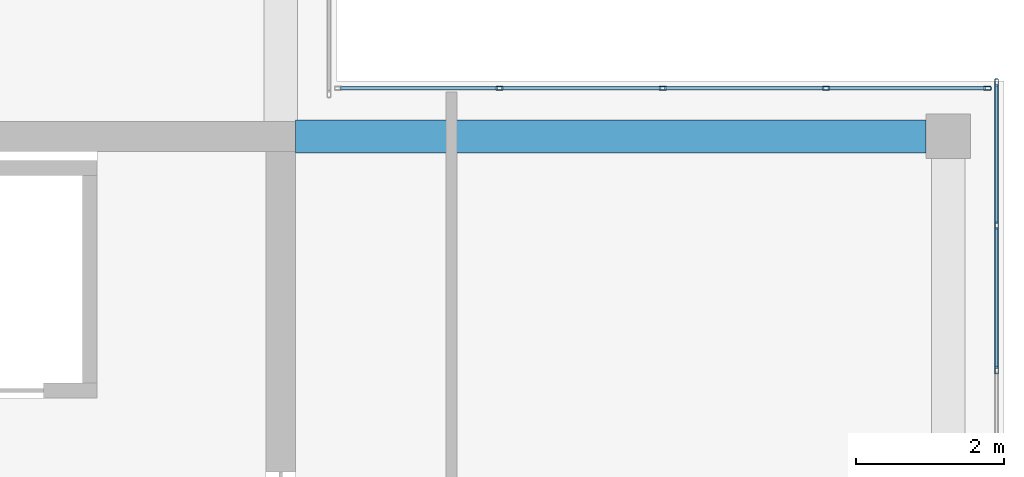
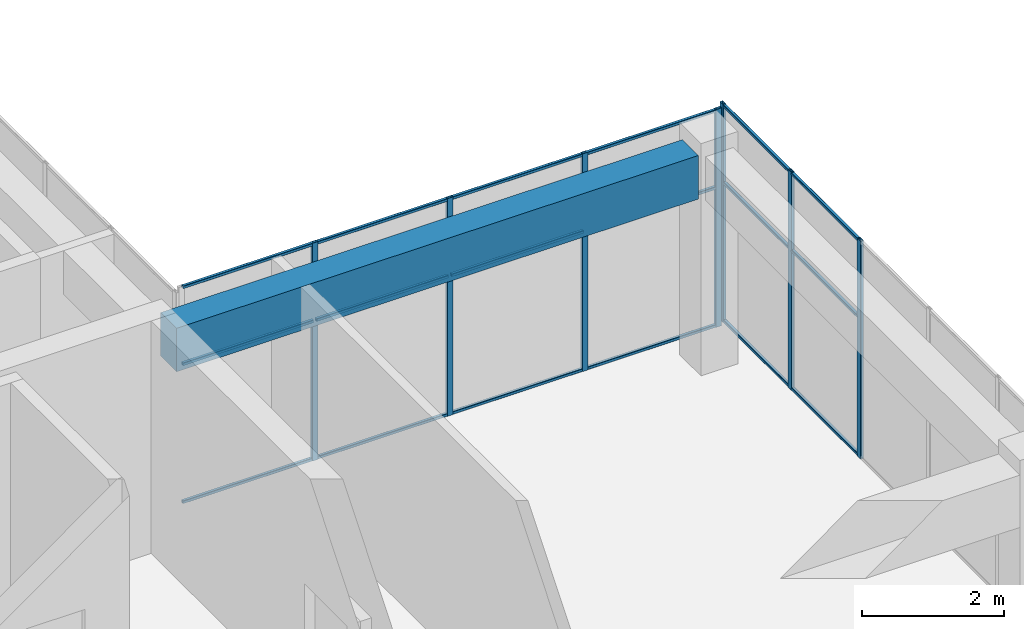
# One storey, part 20 of 35: 25 members, 1 beam, 2 elements without a shape of their own.
"""IFC4 building model written with IfcOpenShell, lengths in metres."""

from ifc_helpers import new_model, si_unit, direction, frame, origin, origin_2d, place, context, subcontext, project, spatial, rectangle, hollow_rectangle, extrude, material, layer, layer_set, material_profile, profile_set, type_object, element, aggregate, save


model = new_model("IFC4")

# Units and contexts
model_context = context("Model", 3, precision=1e-05, world=origin(), true_north=direction((0.0, 1.0)))
body_context = subcontext(model_context, "Body", "Model", "MODEL_VIEW")
ifc_project = project(units=[si_unit("LENGTHUNIT", "METRE"), si_unit("AREAUNIT", "SQUARE_METRE"), si_unit("VOLUMEUNIT", "CUBIC_METRE"), si_unit("PLANEANGLEUNIT", "RADIAN"), si_unit("MASSUNIT", "GRAM", prefix="KILO")], contexts=[model_context])

# Site, building, storey
site_placement = place(None, origin())
site = spatial("IfcSite", under=ifc_project, at=site_placement, CompositionType="ELEMENT")
building_placement = place(site_placement, origin())
building = spatial("IfcBuilding", under=site, at=building_placement, Name="Tuart Plaza Theatre", CompositionType="ELEMENT")
storey_placement = place(building_placement, frame((0.0, 0.0, 45.5)))
storey = spatial("IfcBuildingStorey", under=building, at=storey_placement, Name="L11", CompositionType="ELEMENT", Elevation=45.5)

# Beam
ifc_material_1 = material(Name="Concrete N40 (40 MPa)", Category="concrete")
ifc_material_profile_1 = material_profile(ifc_material_1, rectangle(XDim=0.449951171875, YDim=0.75, at=origin_2d()), Name="BEAM 450x750 Concrete N40 (40 MPa)")
ifc_profile_set_1 = profile_set([ifc_material_profile_1], Name="Concrete N40 (40 MPa)")
beam_type = type_object("IfcBeamType", Name="BEAM 450x750 Concrete N40 (40 MPa)", PredefinedType="BEAM", material=ifc_profile_set_1)
beam_placement = place(storey_placement, frame((141.199951171875, 83.0, 3.375), z_axis=(1.0, 0.0, 0.0), x_axis=(0.0, 1.0, 0.0)))
element("IfcBeam", 1, at=beam_placement, inside=storey, type_object=beam_type, Name="RB308", PredefinedType="BEAM", context=body_context, shape_type="SweptSolid", body=[
    extrude(rectangle(XDim=0.449951171875, YDim=0.75, at=origin_2d()), origin(), (0.0, 0.0, 1.0), 8.5),
])

# Curtain wall, members
ifc_material_2 = material(Name="Aluminium and glass", Category="aluminium")
ifc_layer = layer(ifc_material_2, 0.10009765625)
ifc_layer_set = layer_set([ifc_layer], Name="CURTAIN WALL 2000 module")
curtain_wall_type = type_object("IfcCurtainWallType", Name="CURTAIN WALL 2000 module", PredefinedType="NOTDEFINED", material=ifc_layer_set)
curtain_wall_1_placement = place(storey_placement, origin())
curtain_wall_1 = element("IfcCurtainWall", 2, at=curtain_wall_1_placement, inside=storey, type_object=curtain_wall_type, Name="CW102", PredefinedType="NOTDEFINED")
ifc_material_3 = material(Name="Aluminium 6063-T5", Category="aluminium")
ifc_material_profile_2 = material_profile(ifc_material_3, hollow_rectangle(XDim=0.050048828125, YDim=0.10009765625, WallThickness=0.00390625, InnerFilletRadius=0.00390625, OuterFilletRadius=0.008056640625, at=origin_2d()), Name="RHS 100x50x4")
ifc_profile_set_2 = profile_set([ifc_material_profile_2], Name="Aluminium 6063-T5")
member_type_1 = type_object("IfcMemberType", Name="MULLION RHS 100x50x4", PredefinedType="MULLION", material=ifc_profile_set_2)
member_1_placement = place(storey_placement, frame((150.64990234375, 79.85009765625, 0.0), z_axis=(0.0, 0.0, 1.0), x_axis=(-1.0, 0.0, 0.0)))
member_1 = element("IfcMember", 3, at=member_1_placement, type_object=member_type_1, Name="CW102 mullion 9", PredefinedType="MULLION", context=body_context, shape_type="SweptSolid", body=[
    extrude(hollow_rectangle(XDim=0.050048828125, YDim=0.10009765625, WallThickness=0.00390625, InnerFilletRadius=0.00390625, OuterFilletRadius=0.008056640625, at=origin_2d()), origin(), (0.0, 0.0, 1.0), 3.75),
])
member_2_placement = place(storey_placement, frame((150.64990234375, 81.800048828125, 0.0), z_axis=(0.0, 0.0, 1.0), x_axis=(-1.0, 0.0, 0.0)))
member_2 = element("IfcMember", 4, at=member_2_placement, type_object=member_type_1, Name="CW102 mullion 10", PredefinedType="MULLION", context=body_context, shape_type="SweptSolid", body=[
    extrude(hollow_rectangle(XDim=0.050048828125, YDim=0.10009765625, WallThickness=0.00390625, InnerFilletRadius=0.00390625, OuterFilletRadius=0.008056640625, at=origin_2d()), origin(), (0.0, 0.0, 1.0), 3.75),
])
member_3_placement = place(storey_placement, frame((150.64990234375, 83.72509765625, 0.0), z_axis=(0.0, 0.0, 1.0), x_axis=(-1.0, 0.0, 0.0)))
member_3 = element("IfcMember", 5, at=member_3_placement, type_object=member_type_1, Name="CW102 mullion 11", PredefinedType="MULLION", context=body_context, shape_type="SweptSolid", body=[
    extrude(hollow_rectangle(XDim=0.050048828125, YDim=0.10009765625, WallThickness=0.00390625, InnerFilletRadius=0.00390625, OuterFilletRadius=0.008056640625, at=origin_2d()), origin(), (0.0, 0.0, 1.0), 3.75),
])

curtain_wall_2_placement = place(storey_placement, origin())
curtain_wall_2 = element("IfcCurtainWall", 6, at=curtain_wall_2_placement, inside=storey, type_object=curtain_wall_type, Name="CW103", PredefinedType="NOTDEFINED")
member_4_placement = place(storey_placement, frame((150.52490234375, 83.64990234375, 0.0), z_axis=(0.0, 0.0, 1.0), x_axis=(0.0, -1.0, 0.0)))
member_4 = element("IfcMember", 7, at=member_4_placement, type_object=member_type_1, Name="CW103 mullion 1", PredefinedType="MULLION", context=body_context, shape_type="SweptSolid", body=[
    extrude(hollow_rectangle(XDim=0.050048828125, YDim=0.10009765625, WallThickness=0.00390625, InnerFilletRadius=0.00390625, OuterFilletRadius=0.008056640625, at=origin_2d()), origin(), (0.0, 0.0, 1.0), 3.75),
])
member_5_placement = place(storey_placement, frame((148.35009765625, 83.64990234375, 0.0), z_axis=(0.0, 0.0, 1.0), x_axis=(0.0, -1.0, 0.0)))
member_5 = element("IfcMember", 8, at=member_5_placement, type_object=member_type_1, Name="CW103 mullion 2", PredefinedType="MULLION", context=body_context, shape_type="SweptSolid", body=[
    extrude(hollow_rectangle(XDim=0.050048828125, YDim=0.10009765625, WallThickness=0.00390625, InnerFilletRadius=0.00390625, OuterFilletRadius=0.008056640625, at=origin_2d()), origin(), (0.0, 0.0, 1.0), 3.75),
])
member_6_placement = place(storey_placement, frame((146.14990234375, 83.64990234375, 0.0), z_axis=(0.0, 0.0, 1.0), x_axis=(0.0, -1.0, 0.0)))
member_6 = element("IfcMember", 9, at=member_6_placement, type_object=member_type_1, Name="CW103 mullion 3", PredefinedType="MULLION", context=body_context, shape_type="SweptSolid", body=[
    extrude(hollow_rectangle(XDim=0.050048828125, YDim=0.10009765625, WallThickness=0.00390625, InnerFilletRadius=0.00390625, OuterFilletRadius=0.008056640625, at=origin_2d()), origin(), (0.0, 0.0, 1.0), 3.75),
])
member_7_placement = place(storey_placement, frame((143.949951171875, 83.64990234375, 0.0), z_axis=(0.0, 0.0, 1.0), x_axis=(0.0, -1.0, 0.0)))
member_7 = element("IfcMember", 10, at=member_7_placement, type_object=member_type_1, Name="CW103 mullion 4", PredefinedType="MULLION", context=body_context, shape_type="SweptSolid", body=[
    extrude(hollow_rectangle(XDim=0.050048828125, YDim=0.10009765625, WallThickness=0.00390625, InnerFilletRadius=0.00390625, OuterFilletRadius=0.008056640625, at=origin_2d()), origin(), (0.0, 0.0, 1.0), 3.75),
])

# Member
ifc_material_4 = material(Name="Aluminium 6063-T5", Category="aluminium")
ifc_material_profile_3 = material_profile(ifc_material_4, hollow_rectangle(XDim=0.050048828125, YDim=0.050048828125, WallThickness=0.00390625, InnerFilletRadius=0.00390625, OuterFilletRadius=0.008056640625, at=origin_2d()), Name="RHS 50x50x4")
ifc_profile_set_3 = profile_set([ifc_material_profile_3], Name="Aluminium 6063-T5")
member_type_2 = type_object("IfcMemberType", Name="TRANSOM RHS 50x50x4", PredefinedType="USERDEFINED", material=ifc_profile_set_3)
member_8_placement = place(storey_placement, frame((150.64990234375, 79.875, 0.02490234375), z_axis=(0.0, 1.0, 0.0), x_axis=(-1.0, 0.0, 0.0)))
member_8 = element("IfcMember", 11, at=member_8_placement, type_object=member_type_2, Name="CW102 transom 9.1", ObjectType="TRANSOM", PredefinedType="USERDEFINED", context=body_context, shape_type="SweptSolid", body=[
    extrude(hollow_rectangle(XDim=0.050048828125, YDim=0.050048828125, WallThickness=0.00390625, InnerFilletRadius=0.00390625, OuterFilletRadius=0.008056640625, at=origin_2d()), origin(), (0.0, 0.0, 1.0), 1.89990234375),
])

member_9_placement = place(storey_placement, frame((150.64990234375, 79.875, 2.39990234375), z_axis=(0.0, 1.0, 0.0), x_axis=(-1.0, 0.0, 0.0)))
member_9 = element("IfcMember", 12, at=member_9_placement, type_object=member_type_2, Name="CW102 transom 9.2", ObjectType="TRANSOM", PredefinedType="USERDEFINED", context=body_context, shape_type="SweptSolid", body=[
    extrude(hollow_rectangle(XDim=0.050048828125, YDim=0.050048828125, WallThickness=0.00390625, InnerFilletRadius=0.00390625, OuterFilletRadius=0.008056640625, at=origin_2d()), origin(), (0.0, 0.0, 1.0), 1.89990234375),
])

member_10_placement = place(storey_placement, frame((150.64990234375, 79.875, 3.72509765625), z_axis=(0.0, 1.0, 0.0), x_axis=(-1.0, 0.0, 0.0)))
member_10 = element("IfcMember", 13, at=member_10_placement, type_object=member_type_2, Name="CW102 transom 9.3", ObjectType="TRANSOM", PredefinedType="USERDEFINED", context=body_context, shape_type="SweptSolid", body=[
    extrude(hollow_rectangle(XDim=0.050048828125, YDim=0.050048828125, WallThickness=0.00390625, InnerFilletRadius=0.00390625, OuterFilletRadius=0.008056640625, at=origin_2d()), origin(), (0.0, 0.0, 1.0), 1.89990234375),
])

member_11_placement = place(storey_placement, frame((150.64990234375, 81.824951171875, 0.02490234375), z_axis=(0.0, 1.0, 0.0), x_axis=(-1.0, 0.0, 0.0)))
member_11 = element("IfcMember", 14, at=member_11_placement, type_object=member_type_2, Name="CW102 transom 10.1", ObjectType="TRANSOM", PredefinedType="USERDEFINED", context=body_context, shape_type="SweptSolid", body=[
    extrude(hollow_rectangle(XDim=0.050048828125, YDim=0.050048828125, WallThickness=0.00390625, InnerFilletRadius=0.00390625, OuterFilletRadius=0.008056640625, at=origin_2d()), origin(), (0.0, 0.0, 1.0), 1.875),
])

member_12_placement = place(storey_placement, frame((150.64990234375, 81.824951171875, 2.39990234375), z_axis=(0.0, 1.0, 0.0), x_axis=(-1.0, 0.0, 0.0)))
member_12 = element("IfcMember", 15, at=member_12_placement, type_object=member_type_2, Name="CW102 transom 10.2", ObjectType="TRANSOM", PredefinedType="USERDEFINED", context=body_context, shape_type="SweptSolid", body=[
    extrude(hollow_rectangle(XDim=0.050048828125, YDim=0.050048828125, WallThickness=0.00390625, InnerFilletRadius=0.00390625, OuterFilletRadius=0.008056640625, at=origin_2d()), origin(), (0.0, 0.0, 1.0), 1.875),
])

member_13_placement = place(storey_placement, frame((150.64990234375, 81.824951171875, 3.72509765625), z_axis=(0.0, 1.0, 0.0), x_axis=(-1.0, 0.0, 0.0)))
member_13 = element("IfcMember", 16, at=member_13_placement, type_object=member_type_2, Name="CW102 transom 10.3", ObjectType="TRANSOM", PredefinedType="USERDEFINED", context=body_context, shape_type="SweptSolid", body=[
    extrude(hollow_rectangle(XDim=0.050048828125, YDim=0.050048828125, WallThickness=0.00390625, InnerFilletRadius=0.00390625, OuterFilletRadius=0.008056640625, at=origin_2d()), origin(), (0.0, 0.0, 1.0), 1.875),
])

aggregate(curtain_wall_1, [member_1, member_2, member_3, member_8, member_9, member_10, member_11, member_12, member_13])

member_14_placement = place(storey_placement, frame((150.5, 83.64990234375, 0.02490234375), z_axis=(-1.0, 0.0, 0.0), x_axis=(0.0, -1.0, 0.0)))
member_14 = element("IfcMember", 17, at=member_14_placement, type_object=member_type_2, Name="CW103 transom 1.1", ObjectType="TRANSOM", PredefinedType="USERDEFINED", context=body_context, shape_type="SweptSolid", body=[
    extrude(hollow_rectangle(XDim=0.050048828125, YDim=0.050048828125, WallThickness=0.00390625, InnerFilletRadius=0.00390625, OuterFilletRadius=0.008056640625, at=origin_2d()), origin(), (0.0, 0.0, 1.0), 2.125),
])

member_15_placement = place(storey_placement, frame((150.5, 83.64990234375, 2.39990234375), z_axis=(-1.0, 0.0, 0.0), x_axis=(0.0, -1.0, 0.0)))
member_15 = element("IfcMember", 18, at=member_15_placement, type_object=member_type_2, Name="CW103 transom 1.2", ObjectType="TRANSOM", PredefinedType="USERDEFINED", context=body_context, shape_type="SweptSolid", body=[
    extrude(hollow_rectangle(XDim=0.050048828125, YDim=0.050048828125, WallThickness=0.00390625, InnerFilletRadius=0.00390625, OuterFilletRadius=0.008056640625, at=origin_2d()), origin(), (0.0, 0.0, 1.0), 2.125),
])

member_16_placement = place(storey_placement, frame((150.5, 83.64990234375, 3.72509765625), z_axis=(-1.0, 0.0, 0.0), x_axis=(0.0, -1.0, 0.0)))
member_16 = element("IfcMember", 19, at=member_16_placement, type_object=member_type_2, Name="CW103 transom 1.3", ObjectType="TRANSOM", PredefinedType="USERDEFINED", context=body_context, shape_type="SweptSolid", body=[
    extrude(hollow_rectangle(XDim=0.050048828125, YDim=0.050048828125, WallThickness=0.00390625, InnerFilletRadius=0.00390625, OuterFilletRadius=0.008056640625, at=origin_2d()), origin(), (0.0, 0.0, 1.0), 2.125),
])

member_17_placement = place(storey_placement, frame((148.324951171875, 83.64990234375, 0.02490234375), z_axis=(-1.0, 0.0, 0.0), x_axis=(0.0, -1.0, 0.0)))
member_17 = element("IfcMember", 20, at=member_17_placement, type_object=member_type_2, Name="CW103 transom 2.1", ObjectType="TRANSOM", PredefinedType="USERDEFINED", context=body_context, shape_type="SweptSolid", body=[
    extrude(hollow_rectangle(XDim=0.050048828125, YDim=0.050048828125, WallThickness=0.00390625, InnerFilletRadius=0.00390625, OuterFilletRadius=0.008056640625, at=origin_2d()), origin(), (0.0, 0.0, 1.0), 2.14990234375),
])

member_18_placement = place(storey_placement, frame((148.324951171875, 83.64990234375, 2.39990234375), z_axis=(-1.0, 0.0, 0.0), x_axis=(0.0, -1.0, 0.0)))
member_18 = element("IfcMember", 21, at=member_18_placement, type_object=member_type_2, Name="CW103 transom 2.2", ObjectType="TRANSOM", PredefinedType="USERDEFINED", context=body_context, shape_type="SweptSolid", body=[
    extrude(hollow_rectangle(XDim=0.050048828125, YDim=0.050048828125, WallThickness=0.00390625, InnerFilletRadius=0.00390625, OuterFilletRadius=0.008056640625, at=origin_2d()), origin(), (0.0, 0.0, 1.0), 2.14990234375),
])

member_19_placement = place(storey_placement, frame((148.324951171875, 83.64990234375, 3.72509765625), z_axis=(-1.0, 0.0, 0.0), x_axis=(0.0, -1.0, 0.0)))
member_19 = element("IfcMember", 22, at=member_19_placement, type_object=member_type_2, Name="CW103 transom 2.3", ObjectType="TRANSOM", PredefinedType="USERDEFINED", context=body_context, shape_type="SweptSolid", body=[
    extrude(hollow_rectangle(XDim=0.050048828125, YDim=0.050048828125, WallThickness=0.00390625, InnerFilletRadius=0.00390625, OuterFilletRadius=0.008056640625, at=origin_2d()), origin(), (0.0, 0.0, 1.0), 2.14990234375),
])

member_20_placement = place(storey_placement, frame((146.125, 83.64990234375, 0.02490234375), z_axis=(-1.0, 0.0, 0.0), x_axis=(0.0, -1.0, 0.0)))
member_20 = element("IfcMember", 23, at=member_20_placement, type_object=member_type_2, Name="CW103 transom 3.1", ObjectType="TRANSOM", PredefinedType="USERDEFINED", context=body_context, shape_type="SweptSolid", body=[
    extrude(hollow_rectangle(XDim=0.050048828125, YDim=0.050048828125, WallThickness=0.00390625, InnerFilletRadius=0.00390625, OuterFilletRadius=0.008056640625, at=origin_2d()), origin(), (0.0, 0.0, 1.0), 2.14990234375),
])

member_21_placement = place(storey_placement, frame((146.125, 83.64990234375, 2.39990234375), z_axis=(-1.0, 0.0, 0.0), x_axis=(0.0, -1.0, 0.0)))
member_21 = element("IfcMember", 24, at=member_21_placement, type_object=member_type_2, Name="CW103 transom 3.2", ObjectType="TRANSOM", PredefinedType="USERDEFINED", context=body_context, shape_type="SweptSolid", body=[
    extrude(hollow_rectangle(XDim=0.050048828125, YDim=0.050048828125, WallThickness=0.00390625, InnerFilletRadius=0.00390625, OuterFilletRadius=0.008056640625, at=origin_2d()), origin(), (0.0, 0.0, 1.0), 2.14990234375),
])

member_22_placement = place(storey_placement, frame((146.125, 83.64990234375, 3.72509765625), z_axis=(-1.0, 0.0, 0.0), x_axis=(0.0, -1.0, 0.0)))
member_22 = element("IfcMember", 25, at=member_22_placement, type_object=member_type_2, Name="CW103 transom 3.3", ObjectType="TRANSOM", PredefinedType="USERDEFINED", context=body_context, shape_type="SweptSolid", body=[
    extrude(hollow_rectangle(XDim=0.050048828125, YDim=0.050048828125, WallThickness=0.00390625, InnerFilletRadius=0.00390625, OuterFilletRadius=0.008056640625, at=origin_2d()), origin(), (0.0, 0.0, 1.0), 2.14990234375),
])

member_23_placement = place(storey_placement, frame((143.925048828125, 83.64990234375, 0.02490234375), z_axis=(-1.0, 0.0, 0.0), x_axis=(0.0, -1.0, 0.0)))
member_23 = element("IfcMember", 26, at=member_23_placement, type_object=member_type_2, Name="CW103 transom 4.1", ObjectType="TRANSOM", PredefinedType="USERDEFINED", context=body_context, shape_type="SweptSolid", body=[
    extrude(hollow_rectangle(XDim=0.050048828125, YDim=0.050048828125, WallThickness=0.00390625, InnerFilletRadius=0.00390625, OuterFilletRadius=0.008056640625, at=origin_2d()), origin(), (0.0, 0.0, 1.0), 2.125),
])

member_24_placement = place(storey_placement, frame((143.925048828125, 83.64990234375, 2.39990234375), z_axis=(-1.0, 0.0, 0.0), x_axis=(0.0, -1.0, 0.0)))
member_24 = element("IfcMember", 27, at=member_24_placement, type_object=member_type_2, Name="CW103 transom 4.2", ObjectType="TRANSOM", PredefinedType="USERDEFINED", context=body_context, shape_type="SweptSolid", body=[
    extrude(hollow_rectangle(XDim=0.050048828125, YDim=0.050048828125, WallThickness=0.00390625, InnerFilletRadius=0.00390625, OuterFilletRadius=0.008056640625, at=origin_2d()), origin(), (0.0, 0.0, 1.0), 2.125),
])

member_25_placement = place(storey_placement, frame((143.925048828125, 83.64990234375, 3.72509765625), z_axis=(-1.0, 0.0, 0.0), x_axis=(0.0, -1.0, 0.0)))
member_25 = element("IfcMember", 28, at=member_25_placement, type_object=member_type_2, Name="CW103 transom 4.3", ObjectType="TRANSOM", PredefinedType="USERDEFINED", context=body_context, shape_type="SweptSolid", body=[
    extrude(hollow_rectangle(XDim=0.050048828125, YDim=0.050048828125, WallThickness=0.00390625, InnerFilletRadius=0.00390625, OuterFilletRadius=0.008056640625, at=origin_2d()), origin(), (0.0, 0.0, 1.0), 2.125),
])

aggregate(curtain_wall_2, [member_4, member_5, member_6, member_7, member_14, member_15, member_16, member_17, member_18, member_19, member_20, member_21, member_22, member_23, member_24, member_25])

save(model, "model.ifc")
